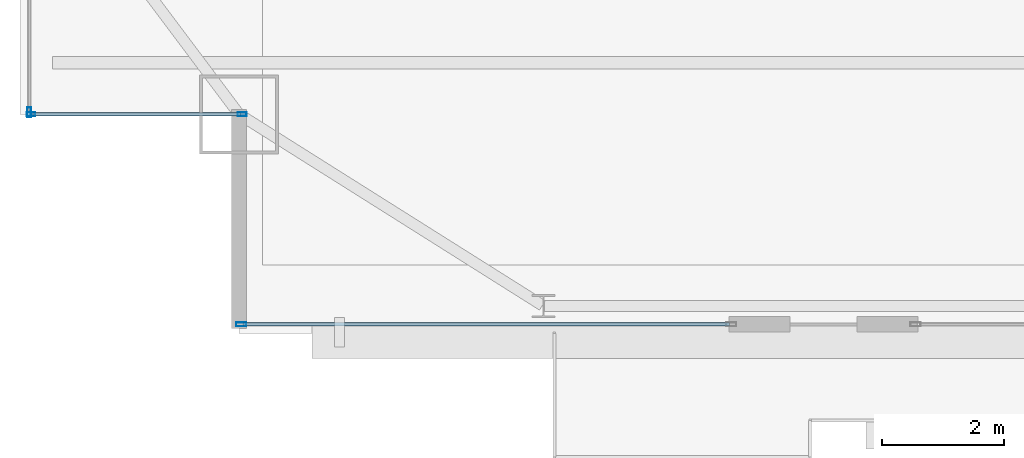
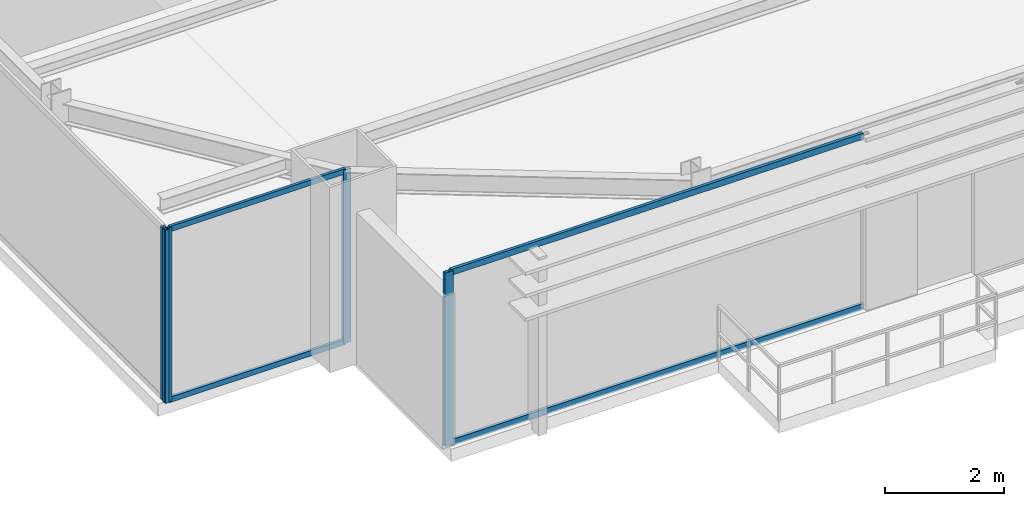
# One storey, part 4 of 34: 8 members, 3 elements without a shape of their own.
"""IFC4 building model written with IfcOpenShell, lengths in metres."""

from ifc_helpers import new_model, si_unit, direction, frame, origin, origin_2d, place, context, subcontext, project, spatial, hollow_rectangle, extrude, source, transform, mapped, material, layer, layer_set, material_profile, profile_set, type_object, type_shapes, element, aggregate, save


model = new_model("IFC4")

# Units and contexts
model_context = context("Model", 3, precision=1e-05, world=origin(), true_north=direction((0.0, 1.0)))
body_context = subcontext(model_context, "Body", "Model", "MODEL_VIEW")
ifc_project = project(units=[si_unit("LENGTHUNIT", "METRE"), si_unit("AREAUNIT", "SQUARE_METRE"), si_unit("VOLUMEUNIT", "CUBIC_METRE"), si_unit("PLANEANGLEUNIT", "RADIAN"), si_unit("MASSUNIT", "GRAM", prefix="KILO")], contexts=[model_context])

# Site, building, storey
site_placement = place(None, origin())
site = spatial("IfcSite", under=ifc_project, at=site_placement, CompositionType="ELEMENT")
building_placement = place(site_placement, origin())
building = spatial("IfcBuilding", under=site, at=building_placement, Name="Varnel Quay Broadcast Tower", CompositionType="ELEMENT")
storey_placement = place(building_placement, frame((0.0, 0.0, 176.199951171875)))
storey = spatial("IfcBuildingStorey", under=building, at=storey_placement, Name="L43", CompositionType="ELEMENT", Elevation=176.199951171875)

# Curtain wall, members
ifc_material = material(Name="Anodised Bronze Aluminium 6063-T6", Category="aluminium")
ifc_layer_1 = layer(ifc_material, 0.18994140625, Name="Anodised Bronze Aluminium 6063-T6")
ifc_layer_set_1 = layer_set([ifc_layer_1], Name="Anodised Bronze Aluminium 6063-T6")
curtain_wall_type_1 = type_object("IfcCurtainWallType", Name="CW_NotchCorner", PredefinedType="NOTDEFINED", material=ifc_layer_set_1)
curtain_wall_1_placement = place(storey_placement, origin())
curtain_wall_1 = element("IfcCurtainWall", 1, at=curtain_wall_1_placement, inside=storey, type_object=curtain_wall_type_1, Name="L43 SW Notch Curtain Wall", PredefinedType="NOTDEFINED")
ifc_material_profile_1 = material_profile(ifc_material, hollow_rectangle(XDim=0.054931640625, YDim=0.110107421875, WallThickness=0.0029296875, at=origin_2d()), Name="ALU55X110X3")
ifc_profile_set_1 = profile_set([ifc_material_profile_1], Name="Anodised Bronze Aluminium 6063-T6")
member_type_1 = type_object("IfcMemberType", Name="Tran_CWS-04", PredefinedType="USERDEFINED", material=ifc_profile_set_1)
shared_shape_1 = source(origin(), body_context, "Body", "SweptSolid", [
    extrude(hollow_rectangle(XDim=0.054931640625, YDim=0.110107421875, WallThickness=0.0029296875, at=origin_2d()), origin(), (0.0, 0.0, 1.0), 3.41015625),
])
type_shapes(member_type_1, [shared_shape_1])
member_1_placement = place(storey_placement, frame((7.2099609375, 10.800048828125, 0.027587890625), z_axis=(1.0, 0.0, 0.0), x_axis=(0.0, 1.0, 0.0)))
member_1 = element("IfcMember", 2, at=member_1_placement, type_object=member_type_1, Name="CWS-04 transom 1.1", ObjectType="TRANSOM", PredefinedType="USERDEFINED", context=body_context, shape_type="MappedRepresentation", body=[
    mapped(shared_shape_1, transform((0.0, 0.0, 0.0), x_axis=(1.0, 0.0, 0.0), y_axis=(0.0, 1.0, 0.0), z_axis=(0.0, 0.0, 1.0), scale=1.0)),
])
member_2_placement = place(storey_placement, frame((7.2099609375, 10.800048828125, 3.5224609375), z_axis=(1.0, 0.0, 0.0), x_axis=(0.0, 1.0, 0.0)))
member_2 = element("IfcMember", 3, at=member_2_placement, type_object=member_type_1, Name="CWS-04 transom 1.2", ObjectType="TRANSOM", PredefinedType="USERDEFINED", context=body_context, shape_type="MappedRepresentation", body=[
    mapped(shared_shape_1, transform((0.0, 0.0, 0.0), x_axis=(1.0, 0.0, 0.0), y_axis=(0.0, 1.0, 0.0), z_axis=(0.0, 0.0, 1.0), scale=1.0)),
])
ifc_material_profile_2 = material_profile(ifc_material, hollow_rectangle(XDim=0.06005859375, YDim=0.14501953125, WallThickness=0.00341796875, at=origin_2d()), Name="ALU60X145X3.5")
ifc_profile_set_2 = profile_set([ifc_material_profile_2], Name="Anodised Bronze Aluminium 6063-T6")
member_type_2 = type_object("IfcMemberType", Name="Mull_CWS-04", PredefinedType="MULLION", material=ifc_profile_set_2)
shared_shape_2 = source(origin(), body_context, "Body", "SweptSolid", [
    extrude(hollow_rectangle(XDim=0.06005859375, YDim=0.14501953125, WallThickness=0.00341796875, at=origin_2d()), origin(), (0.0, 0.0, 1.0), 3.550048828125),
])
type_shapes(member_type_2, [shared_shape_2])
member_3_placement = place(storey_placement, frame((7.179931640625, 10.800048828125, 0.0), z_axis=(0.0, 0.0, 1.0), x_axis=(0.0, 1.0, 0.0)))
member_3 = element("IfcMember", 4, at=member_3_placement, type_object=member_type_2, Name="CWS-04 mullion 1", PredefinedType="MULLION", context=body_context, shape_type="MappedRepresentation", body=[
    mapped(shared_shape_2, transform((0.0, 0.0, 0.0), x_axis=(1.0, 0.0, 0.0), y_axis=(0.0, 1.0, 0.0), z_axis=(0.0, 0.0, 1.0), scale=1.0)),
])
member_4_placement = place(storey_placement, frame((10.64990234375, 10.800048828125, 0.0), z_axis=(0.0, 0.0, 1.0), x_axis=(0.0, 1.0, 0.0)))
member_4 = element("IfcMember", 5, at=member_4_placement, type_object=member_type_2, Name="CWS-04 mullion 2", PredefinedType="MULLION", context=body_context, shape_type="MappedRepresentation", body=[
    mapped(shared_shape_2, transform((0.0, 0.0, 0.0), x_axis=(1.0, 0.0, 0.0), y_axis=(0.0, 1.0, 0.0), z_axis=(0.0, 0.0, 1.0), scale=1.0)),
])
aggregate(curtain_wall_1, [member_3, member_4, member_1, member_2])

# Curtain wall, member
ifc_layer_2 = layer(ifc_material, 0.18994140625, Name="Anodised Bronze Aluminium 6063-T6")
ifc_layer_set_2 = layer_set([ifc_layer_2], Name="Anodised Bronze Aluminium 6063-T6")
curtain_wall_type_2 = type_object("IfcCurtainWallType", Name="CW_UpperTower", PredefinedType="NOTDEFINED", material=ifc_layer_set_2)
curtain_wall_2_placement = place(storey_placement, origin())
curtain_wall_2 = element("IfcCurtainWall", 6, at=curtain_wall_2_placement, inside=storey, type_object=curtain_wall_type_2, Name="L43 South Unitised Curtain Wall 1", PredefinedType="NOTDEFINED")
ifc_material_profile_3 = material_profile(ifc_material, hollow_rectangle(XDim=0.06494140625, YDim=0.1650390625, WallThickness=0.00341796875, at=origin_2d()), Name="ALU65X165X3.5")
ifc_profile_set_3 = profile_set([ifc_material_profile_3], Name="Anodised Bronze Aluminium 6063-T6")
member_type_3 = type_object("IfcMemberType", Name="Mull_CWS-03", PredefinedType="MULLION", material=ifc_profile_set_3)
shared_shape_3 = source(origin(), body_context, "Body", "SweptSolid", [
    extrude(hollow_rectangle(XDim=0.06494140625, YDim=0.1650390625, WallThickness=0.00341796875, at=origin_2d()), origin(), (0.0, 0.0, 1.0), 3.550048828125),
])
type_shapes(member_type_3, [shared_shape_3])
member_5_placement = place(storey_placement, frame((10.632568359375, 7.35009765625, 0.0), z_axis=(0.0, 0.0, 1.0), x_axis=(0.0, 1.0, 0.0)))
member_5 = element("IfcMember", 7, at=member_5_placement, type_object=member_type_3, Name="CWS-03 mullion 1", PredefinedType="MULLION", context=body_context, shape_type="MappedRepresentation", body=[
    mapped(shared_shape_3, transform((0.0, 0.0, 0.0), x_axis=(1.0, 0.0, 0.0), y_axis=(0.0, 1.0, 0.0), z_axis=(0.0, 0.0, 1.0), scale=1.0)),
])

curtain_wall_3_placement = place(storey_placement, origin())
curtain_wall_3 = element("IfcCurtainWall", 8, at=curtain_wall_3_placement, inside=storey, type_object=curtain_wall_type_2, Name="L43 West Unitised Curtain Wall", PredefinedType="NOTDEFINED")
member_6_placement = place(storey_placement, frame((7.14990234375, 10.83251953125, 0.0), z_axis=(0.0, 0.0, 1.0), x_axis=(-1.0, 0.0, 0.0)))
member_6 = element("IfcMember", 9, at=member_6_placement, type_object=member_type_3, Name="CWS-03 mullion 1", PredefinedType="MULLION", context=body_context, shape_type="MappedRepresentation", body=[
    mapped(shared_shape_3, transform((0.0, 0.0, 0.0), x_axis=(1.0, 0.0, 0.0), y_axis=(0.0, 1.0, 0.0), z_axis=(0.0, 0.0, 1.0), scale=1.0)),
])
aggregate(curtain_wall_3, [member_6])

# Member
ifc_material_profile_4 = material_profile(ifc_material, hollow_rectangle(XDim=0.06005859375, YDim=0.125, WallThickness=0.0029296875, at=origin_2d()), Name="ALU60X125X3")
ifc_profile_set_4 = profile_set([ifc_material_profile_4], Name="Anodised Bronze Aluminium 6063-T6")
member_type_4 = type_object("IfcMemberType", Name="Tran_CWS-03", PredefinedType="USERDEFINED", material=ifc_profile_set_4)
shared_shape_4 = source(origin(), body_context, "Body", "SweptSolid", [
    extrude(hollow_rectangle(XDim=0.06005859375, YDim=0.125, WallThickness=0.0029296875, at=origin_2d()), origin(), (0.0, 0.0, 1.0), 7.989990234375),
])
type_shapes(member_type_4, [shared_shape_4])
member_7_placement = place(storey_placement, frame((10.6650390625, 7.35009765625, 0.030029296875), z_axis=(1.0, 0.0, 0.0), x_axis=(0.0, 1.0, 0.0)))
member_7 = element("IfcMember", 10, at=member_7_placement, type_object=member_type_4, Name="CWS-03 transom 1.1", ObjectType="TRANSOM", PredefinedType="USERDEFINED", context=body_context, shape_type="MappedRepresentation", body=[
    mapped(shared_shape_4, transform((0.0, 0.0, 0.0), x_axis=(1.0, 0.0, 0.0), y_axis=(0.0, 1.0, 0.0), z_axis=(0.0, 0.0, 1.0), scale=1.0)),
])

member_8_placement = place(storey_placement, frame((10.6650390625, 7.35009765625, 3.52001953125), z_axis=(1.0, 0.0, 0.0), x_axis=(0.0, 1.0, 0.0)))
member_8 = element("IfcMember", 11, at=member_8_placement, type_object=member_type_4, Name="CWS-03 transom 1.2", ObjectType="TRANSOM", PredefinedType="USERDEFINED", context=body_context, shape_type="MappedRepresentation", body=[
    mapped(shared_shape_4, transform((0.0, 0.0, 0.0), x_axis=(1.0, 0.0, 0.0), y_axis=(0.0, 1.0, 0.0), z_axis=(0.0, 0.0, 1.0), scale=1.0)),
])

aggregate(curtain_wall_2, [member_5, member_7, member_8])

save(model, "model.ifc")
